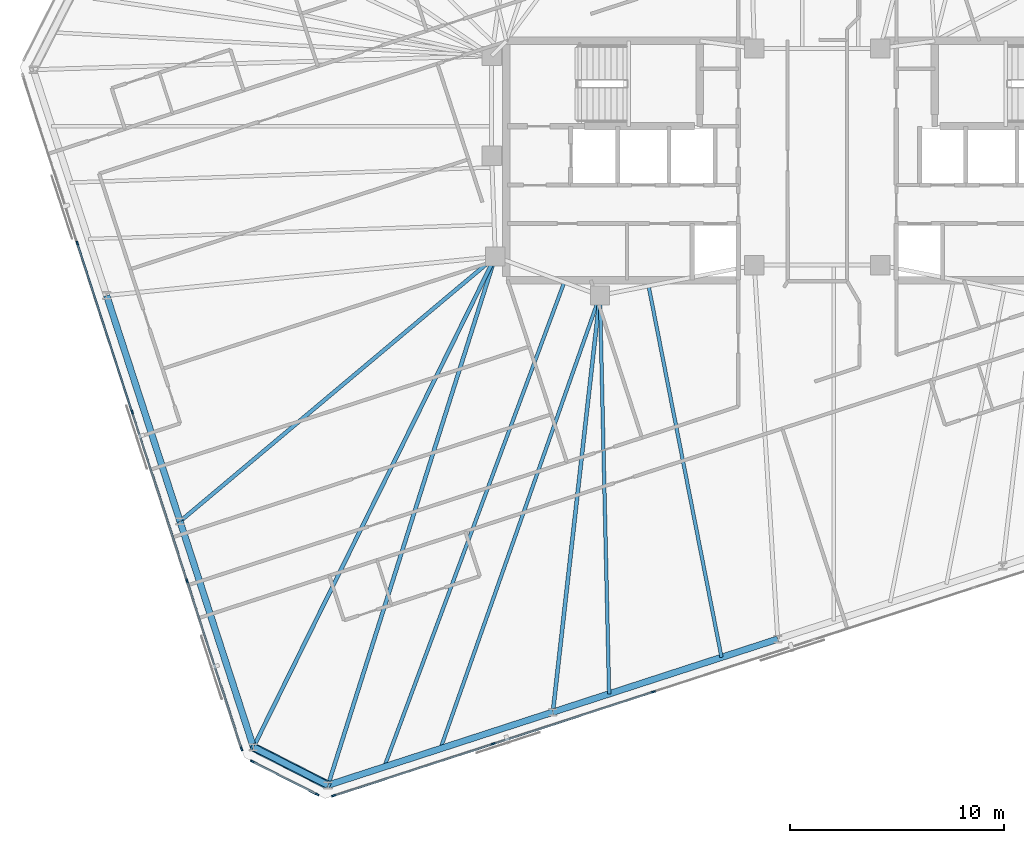
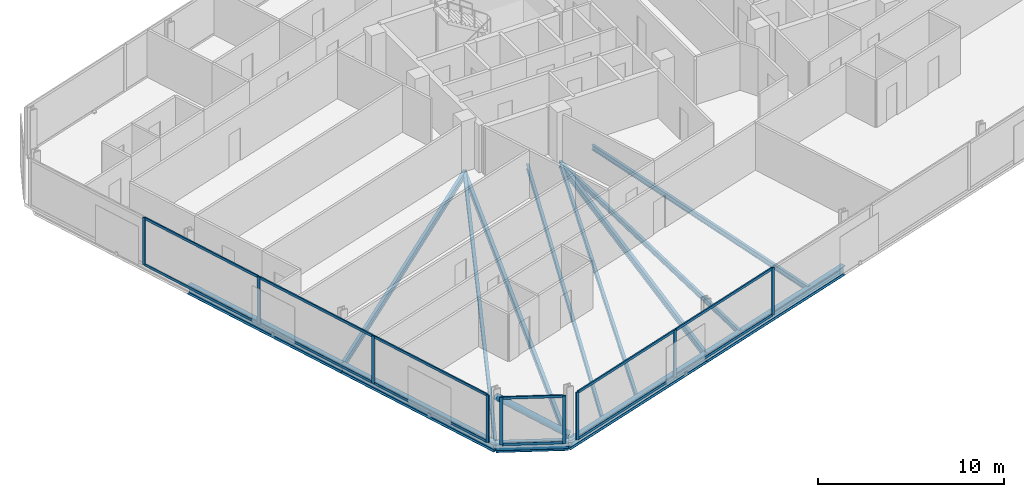
# One storey, part 5 of 19: 22 members, 13 beams, 3 elements without a shape of their own.
"""IFC4 building model written with IfcOpenShell, lengths in metres."""

import ifcopenshell
import ifcopenshell.guid

model = None  # the IFC model being written
_history = None  # IfcOwnerHistory: only IFC2X3 demands one
_inside = {}  # id of a spatial element -> (the spatial element, [elements in it])
_under = {}  # id of a project, library or spatial element -> (it, [spatial elements below it])
_declared = {}  # id of a project -> (the project, [libraries it declares])
_typed = {}  # id of a type object -> (the type object, [elements of that type])
_made_of = {}  # id of a material, layer set ... -> (it, [elements and type objects made of it])


def new_model(schema):
    """Start an empty IFC model of exactly this schema.

    Asked for "IFC4X3", IfcOpenShell would pick the latest addendum, in which some entities
    have other attributes; the version numbers below select the first issue.
    IFC2X3 requires an IfcOwnerHistory on every rooted entity: one is made here for all.
    """
    global model, _history
    if schema == "IFC4X3":
        model = ifcopenshell.file(schema_version=(4, 3, 0, 0))
    else:
        model = ifcopenshell.file(schema=schema)
    _inside.clear()
    _under.clear()
    _declared.clear()
    _typed.clear()
    _made_of.clear()
    _history = None
    if model.schema == "IFC2X3":
        org = make("IfcOrganization", Name="unknown")
        user = make(
            "IfcPersonAndOrganization",
            ThePerson=make("IfcPerson", FamilyName="unknown"),
            TheOrganization=org,
        )
        app = make(
            "IfcApplication",
            ApplicationDeveloper=org,
            Version="unknown",
            ApplicationFullName="unknown",
            ApplicationIdentifier="unknown",
        )
        _history = make(
            "IfcOwnerHistory",
            OwningUser=user,
            OwningApplication=app,
            ChangeAction="ADDED",
            CreationDate=0,
        )
    return model


def make(cls, **values):
    """One entity of the class cls with the attributes given. An attribute that is None is left unset."""
    return model.create_entity(
        cls, **{name: value for name, value in values.items() if value is not None}
    )


def rooted(cls, **values):
    """An entity with a GlobalId (a new one), such as an element, a storey or a relation."""
    return make(cls, GlobalId=ifcopenshell.guid.new(), OwnerHistory=_history, **values)


def si_unit(unit_type, name, prefix=None):
    """IfcSIUnit, for example si_unit("LENGTHUNIT", "METRE", prefix="MILLI")."""
    return make("IfcSIUnit", UnitType=unit_type, Prefix=prefix, Name=name)


def assignment(units):
    """IfcUnitAssignment: the units of a project."""
    return None if units is None else make("IfcUnitAssignment", Units=units)


def point(xyz):
    """IfcCartesianPoint."""
    return None if xyz is None else make("IfcCartesianPoint", Coordinates=xyz)


def direction(xyz):
    """IfcDirection."""
    return None if xyz is None else make("IfcDirection", DirectionRatios=xyz)


def frame(location, z_axis=None, x_axis=None):
    """IfcAxis2Placement3D, a coordinate frame: its origin and axes. An axis left out is left unset."""
    return make(
        "IfcAxis2Placement3D",
        Location=point(location),
        Axis=direction(z_axis),
        RefDirection=direction(x_axis),
    )


def frame_2d(location, x_axis=None):
    """IfcAxis2Placement2D, a coordinate frame in the plane: its origin and x axis."""
    return make(
        "IfcAxis2Placement2D", Location=point(location), RefDirection=direction(x_axis)
    )


def origin():
    """The frame at (0, 0, 0) with its axes left unset."""
    return frame((0.0, 0.0, 0.0))


def origin_2d():
    """The frame at (0, 0) in the plane with its x axis left unset."""
    return frame_2d((0.0, 0.0))


def place(relative_to, where):
    """IfcLocalPlacement: puts the frame where relative to a parent placement (None: the world)."""
    return make(
        "IfcLocalPlacement", PlacementRelTo=relative_to, RelativePlacement=where
    )


def context(
    kind, dimensions, precision=None, world=None, true_north=None, identifier=None
):
    """IfcGeometricRepresentationContext, for example the 3D "Model" context."""
    return make(
        "IfcGeometricRepresentationContext",
        ContextIdentifier=identifier,
        ContextType=kind,
        CoordinateSpaceDimension=dimensions,
        Precision=precision,
        WorldCoordinateSystem=world,
        TrueNorth=true_north,
    )


def subcontext(parent, identifier, kind, view, scale=None):
    """IfcGeometricRepresentationSubContext, for example "Body" below "Model"."""
    return make(
        "IfcGeometricRepresentationSubContext",
        ContextIdentifier=identifier,
        ContextType=kind,
        ParentContext=parent,
        TargetScale=scale,
        TargetView=view,
    )


def project(units=None, contexts=None):
    """IfcProject with its units and contexts."""
    return rooted(
        "IfcProject",
        Name="project",
        RepresentationContexts=contexts,
        UnitsInContext=assignment(units),
    )


def spatial(cls, under=None, at=None, **own):
    """A site, building, storey or space (cls), placed at a placement, below another one or the project."""
    s = rooted(cls, ObjectPlacement=at, **own)
    if under is not None:
        _under.setdefault(under.id(), (under, []))[1].append(s)
    return s


def profile(cls, at=None, kind="AREA", **sizes):
    """A parametric profile (cls). Its sizes go by their IFC names, for example OverallWidth=200.0."""
    return make(cls, ProfileType=kind, Position=at, **sizes)


def rectangle(**sizes):
    """IfcRectangleProfileDef."""
    return profile("IfcRectangleProfileDef", **sizes)


def hollow_circle(**sizes):
    """IfcCircleHollowProfileDef."""
    return profile("IfcCircleHollowProfileDef", **sizes)


def i_section(**sizes):
    """IfcIShapeProfileDef."""
    return profile("IfcIShapeProfileDef", **sizes)


def extrude(swept, where, along, depth):
    """IfcExtrudedAreaSolid: the profile swept, set in the frame where, extruded along a direction by depth."""
    return make(
        "IfcExtrudedAreaSolid",
        SweptArea=swept,
        Position=where,
        ExtrudedDirection=direction(along),
        Depth=depth,
    )


def shape(context_of_items, identifier, shape_type, items):
    """IfcShapeRepresentation: the items that make up one representation, for example the "Body"."""
    return make(
        "IfcShapeRepresentation",
        ContextOfItems=context_of_items,
        RepresentationIdentifier=identifier,
        RepresentationType=shape_type,
        Items=items,
    )


def material(Name=None, Category=None):
    """IfcMaterial."""
    return make("IfcMaterial", Name=Name, Category=Category)


def material_profile(
    of_material, cross_section, Name=None, Category=None, Priority=None
):
    """IfcMaterialProfile: a cross section and its material."""
    return make(
        "IfcMaterialProfile",
        Name=Name,
        Material=of_material,
        Profile=cross_section,
        Priority=Priority,
        Category=Category,
    )


def profile_set(profiles, Name=None, composite=None):
    """IfcMaterialProfileSet."""
    return make(
        "IfcMaterialProfileSet",
        Name=Name,
        MaterialProfiles=profiles,
        CompositeProfile=composite,
    )


def made_of(thing, what):
    """Note that an element or type object is made of a material, layer set ...; save() writes the relation."""
    if what is not None:
        _made_of.setdefault(what.id(), (what, []))[1].append(thing)
    return thing


def type_object(cls, material=None, **own):
    """A type object (cls), such as IfcWallType, which elements share."""
    return made_of(rooted(cls, **own), material)


def element(
    cls,
    number,
    at=None,
    inside=None,
    cuts=None,
    type_object=None,
    material=None,
    context=None,
    identifier="Body",
    shape_type=None,
    held_by="IfcProductDefinitionShape",
    body=None,
    shapes=None,
    **own,
):
    """One element of the class cls, such as IfcWall. Its Tag is "e" and its number.

    at: its placement. inside: the storey or other place that contains it. cuts: it is an
    opening in that element (IfcRelVoidsElement). A single representation is given by context,
    identifier, shape_type and body (its items); several are given by shapes. held_by: the class
    of the entity that holds the representations. save() writes the other relations.
    """
    e = rooted(cls, Tag="e%d" % number, ObjectPlacement=at, **own)
    if body is not None:
        shapes = [shape(context, identifier, shape_type, body)]
    if shapes is not None:
        e.Representation = make(held_by, Representations=shapes)
    if inside is not None:
        _inside.setdefault(inside.id(), (inside, []))[1].append(e)
    if cuts is not None:
        rooted(
            "IfcRelVoidsElement", RelatingBuildingElement=cuts, RelatedOpeningElement=e
        )
    if type_object is not None:
        _typed.setdefault(type_object.id(), (type_object, []))[1].append(e)
    return made_of(e, material)


def aggregate(whole, parts):
    """IfcRelAggregates: a whole, such as a stair, and the parts it consists of."""
    return rooted("IfcRelAggregates", RelatingObject=whole, RelatedObjects=parts)


def save(model, path):
    """Write the relations noted so far, then the file.

    IfcRelAggregates (storeys below a building ...), IfcRelContainedInSpatialStructure (elements
    in a storey), IfcRelDefinesByType, IfcRelAssociatesMaterial and IfcRelDeclares: one each for
    every whole, place, type object, material and project.
    """
    for whole, parts in _under.values():
        aggregate(whole, parts)
    for where, things in _inside.values():
        rooted(
            "IfcRelContainedInSpatialStructure",
            RelatedElements=things,
            RelatingStructure=where,
        )
    for kind, things in _typed.values():
        rooted("IfcRelDefinesByType", RelatedObjects=things, RelatingType=kind)
    for what, things in _made_of.values():
        rooted("IfcRelAssociatesMaterial", RelatedObjects=things, RelatingMaterial=what)
    for by, libraries in _declared.values():
        rooted("IfcRelDeclares", RelatingContext=by, RelatedDefinitions=libraries)
    model.write(path)


model = new_model("IFC4")

# Units and contexts
model_context = context("Model", 3, precision=1e-05, world=origin(), true_north=direction((0.0, 1.0)))
body_context = subcontext(model_context, "Body", "Model", "MODEL_VIEW")
ifc_project = project(units=[si_unit("LENGTHUNIT", "METRE"), si_unit("AREAUNIT", "SQUARE_METRE"), si_unit("VOLUMEUNIT", "CUBIC_METRE"), si_unit("PLANEANGLEUNIT", "RADIAN"), si_unit("MASSUNIT", "GRAM", prefix="KILO")], contexts=[model_context])

# Site, building, storey
site_placement = place(None, origin())
site = spatial("IfcSite", under=ifc_project, at=site_placement, CompositionType="ELEMENT")
building_placement = place(site_placement, origin())
building = spatial("IfcBuilding", under=site, at=building_placement, Name="Menara Jurai Vektor", CompositionType="ELEMENT")
storey_placement = place(building_placement, frame((0.0, 0.0, 231.0)))
storey = spatial("IfcBuildingStorey", under=building, at=storey_placement, Name="L61", CompositionType="ELEMENT", Elevation=231.0)

# Curtain wall, members
ifc_material_1 = material(Name="Anodised Pale Aluminium & Low-E Double Glazing", Category="aluminium")
curtain_wall_type = type_object("IfcCurtainWallType", Name="CW-BLK4", PredefinedType="NOTDEFINED", material=ifc_material_1)
curtain_wall_1_placement = place(storey_placement, origin())
curtain_wall_1 = element("IfcCurtainWall", 1, at=curtain_wall_1_placement, inside=storey, type_object=curtain_wall_type, Name="Unitised Curtain Wall L61 F05", PredefinedType="NOTDEFINED")
ifc_material_2 = material(Name="Anodised Pale Aluminium Mullion", Category="aluminium")
ifc_material_profile_1 = material_profile(ifc_material_2, rectangle(XDim=0.080078125, YDim=0.18994140625, at=origin_2d()), Name="ALU MUL 80x190")
ifc_profile_set_1 = profile_set([ifc_material_profile_1], Name="Anodised Pale Aluminium Mullion")
member_type_1 = type_object("IfcMemberType", Name="CW-BLK4-MUL", PredefinedType="MULLION", material=ifc_profile_set_1)
member_1_placement = place(storey_placement, frame((-34.650634765625, -3.876220703125, 0.0), z_axis=(0.0, 0.0, 1.0), x_axis=(0.95105668295, 0.309016481464, 0.0)))
member_1 = element("IfcMember", 2, at=member_1_placement, type_object=member_type_1, Name="CW-04 mullion 2", PredefinedType="MULLION", context=body_context, shape_type="SweptSolid", body=[
    extrude(rectangle(XDim=0.080078125, YDim=0.18994140625, at=origin_2d()), origin(), (0.0, 0.0, 1.0), 3.125),
])
member_2_placement = place(storey_placement, frame((-32.082763671875, -11.779541015625, 0.0), z_axis=(0.0, 0.0, 1.0), x_axis=(0.95105668295, 0.309016481464, 0.0)))
member_2 = element("IfcMember", 3, at=member_2_placement, type_object=member_type_1, Name="CW-04 mullion 3", PredefinedType="MULLION", context=body_context, shape_type="SweptSolid", body=[
    extrude(rectangle(XDim=0.080078125, YDim=0.18994140625, at=origin_2d()), origin(), (0.0, 0.0, 1.0), 3.125),
])
member_3_placement = place(storey_placement, frame((-29.514892578125, -19.682861328125, 0.0), z_axis=(0.0, 0.0, 1.0), x_axis=(0.95105668295, 0.309016481464, 0.0)))
member_3 = element("IfcMember", 4, at=member_3_placement, type_object=member_type_1, Name="CW-04 mullion 4", PredefinedType="MULLION", context=body_context, shape_type="SweptSolid", body=[
    extrude(rectangle(XDim=0.080078125, YDim=0.18994140625, at=origin_2d()), origin(), (0.0, 0.0, 1.0), 3.125),
])
member_4_placement = place(storey_placement, frame((-26.959228515625, -27.548095703125, 0.0), z_axis=(0.0, 0.0, 1.0), x_axis=(0.95105668295, 0.309016481464, 0.0)))
member_4 = element("IfcMember", 5, at=member_4_placement, type_object=member_type_1, Name="CW-04 mullion 5", PredefinedType="MULLION", context=body_context, shape_type="SweptSolid", body=[
    extrude(rectangle(XDim=0.080078125, YDim=0.18994140625, at=origin_2d()), origin(), (0.0, 0.0, 1.0), 3.125),
])

curtain_wall_2_placement = place(storey_placement, origin())
curtain_wall_2 = element("IfcCurtainWall", 6, at=curtain_wall_2_placement, inside=storey, type_object=curtain_wall_type, Name="Unitised Curtain Wall L61 F06", PredefinedType="NOTDEFINED")
member_5_placement = place(storey_placement, frame((-26.455322265625, -28.13818359375, 0.0), z_axis=(0.0, 0.0, 1.0), x_axis=(0.453988579828, 0.89100750243, 0.0)))
member_5 = element("IfcMember", 7, at=member_5_placement, type_object=member_type_1, Name="CW-04 mullion 1", PredefinedType="MULLION", context=body_context, shape_type="SweptSolid", body=[
    extrude(rectangle(XDim=0.080078125, YDim=0.18994140625, at=origin_2d()), origin(), (0.0, 0.0, 1.0), 3.125),
])
member_6_placement = place(storey_placement, frame((-23.42333984375, -29.682861328125, 0.0), z_axis=(0.0, 0.0, 1.0), x_axis=(0.453988579828, 0.89100750243, 0.0)))
member_6 = element("IfcMember", 8, at=member_6_placement, type_object=member_type_1, Name="CW-04 mullion 2", PredefinedType="MULLION", context=body_context, shape_type="SweptSolid", body=[
    extrude(rectangle(XDim=0.080078125, YDim=0.18994140625, at=origin_2d()), origin(), (0.0, 0.0, 1.0), 3.125),
])

curtain_wall_3_placement = place(storey_placement, origin())
curtain_wall_3 = element("IfcCurtainWall", 9, at=curtain_wall_3_placement, inside=storey, type_object=curtain_wall_type, Name="Unitised Curtain Wall L61 F07", PredefinedType="NOTDEFINED")
member_7_placement = place(storey_placement, frame((-22.649658203125, -29.743896484375, 0.0), z_axis=(0.0, 0.0, 1.0), x_axis=(-0.309017344167, 0.951056402641, 0.0)))
member_7 = element("IfcMember", 10, at=member_7_placement, type_object=member_type_1, Name="CW-04 mullion 1", PredefinedType="MULLION", context=body_context, shape_type="SweptSolid", body=[
    extrude(rectangle(XDim=0.080078125, YDim=0.18994140625, at=origin_2d()), origin(), (0.0, 0.0, 1.0), 3.125),
])
member_8_placement = place(storey_placement, frame((-15.1826171875, -27.317626953125, 0.0), z_axis=(0.0, 0.0, 1.0), x_axis=(-0.309017344167, 0.951056402641, 0.0)))
member_8 = element("IfcMember", 11, at=member_8_placement, type_object=member_type_1, Name="CW-04 mullion 2", PredefinedType="MULLION", context=body_context, shape_type="SweptSolid", body=[
    extrude(rectangle(XDim=0.080078125, YDim=0.18994140625, at=origin_2d()), origin(), (0.0, 0.0, 1.0), 3.125),
])
member_9_placement = place(storey_placement, frame((-7.677490234375, -24.879150390625, 0.0), z_axis=(0.0, 0.0, 1.0), x_axis=(-0.309017344167, 0.951056402641, 0.0)))
member_9 = element("IfcMember", 12, at=member_9_placement, type_object=member_type_1, Name="CW-04 mullion 3", PredefinedType="MULLION", context=body_context, shape_type="SweptSolid", body=[
    extrude(rectangle(XDim=0.080078125, YDim=0.18994140625, at=origin_2d()), origin(), (0.0, 0.0, 1.0), 3.125),
])

# Member
ifc_material_3 = material(Name="Anodised Pale Aluminium Transom", Category="aluminium")
ifc_material_profile_2 = material_profile(ifc_material_3, rectangle(XDim=0.080078125, YDim=0.1650390625, at=origin_2d()), Name="ALU TRN 80x165")
ifc_profile_set_2 = profile_set([ifc_material_profile_2], Name="Anodised Pale Aluminium Transom")
member_type_2 = type_object("IfcMemberType", Name="CW-BLK4-TRN", PredefinedType="USERDEFINED", material=ifc_profile_set_2)
member_10_placement = place(storey_placement, frame((-34.638427734375, -3.914306640625, 0.0400390625), z_axis=(0.309018994408, -0.951055866443, 0.0), x_axis=(0.951055866443, 0.309018994408, 0.0)))
member_10 = element("IfcMember", 13, at=member_10_placement, type_object=member_type_2, Name="CW-04 transom 2.1", ObjectType="TRANSOM", PredefinedType="USERDEFINED", context=body_context, shape_type="SweptSolid", body=[
    extrude(rectangle(XDim=0.080078125, YDim=0.1650390625, at=origin_2d()), origin(), (0.0, 0.0, 1.0), 8.22998046875),
])

member_11_placement = place(storey_placement, frame((-34.638427734375, -3.914306640625, 3.0849609375), z_axis=(0.309018994408, -0.951055866443, 0.0), x_axis=(0.951055866443, 0.309018994408, 0.0)))
member_11 = element("IfcMember", 14, at=member_11_placement, type_object=member_type_2, Name="CW-04 transom 2.2", ObjectType="TRANSOM", PredefinedType="USERDEFINED", context=body_context, shape_type="SweptSolid", body=[
    extrude(rectangle(XDim=0.080078125, YDim=0.1650390625, at=origin_2d()), origin(), (0.0, 0.0, 1.0), 8.22998046875),
])

member_12_placement = place(storey_placement, frame((-32.0703125, -11.817626953125, 0.0400390625), z_axis=(0.309018994408, -0.951055866443, 0.0), x_axis=(0.951055866443, 0.309018994408, 0.0)))
member_12 = element("IfcMember", 15, at=member_12_placement, type_object=member_type_2, Name="CW-04 transom 3.1", ObjectType="TRANSOM", PredefinedType="USERDEFINED", context=body_context, shape_type="SweptSolid", body=[
    extrude(rectangle(XDim=0.080078125, YDim=0.1650390625, at=origin_2d()), origin(), (0.0, 0.0, 1.0), 8.22998046875),
])

member_13_placement = place(storey_placement, frame((-32.0703125, -11.817626953125, 3.0849609375), z_axis=(0.309018994408, -0.951055866443, 0.0), x_axis=(0.951055866443, 0.309018994408, 0.0)))
member_13 = element("IfcMember", 16, at=member_13_placement, type_object=member_type_2, Name="CW-04 transom 3.2", ObjectType="TRANSOM", PredefinedType="USERDEFINED", context=body_context, shape_type="SweptSolid", body=[
    extrude(rectangle(XDim=0.080078125, YDim=0.1650390625, at=origin_2d()), origin(), (0.0, 0.0, 1.0), 8.22998046875),
])

member_14_placement = place(storey_placement, frame((-29.50244140625, -19.720947265625, 0.0400390625), z_axis=(0.309010577384, -0.951058601278, 0.0), x_axis=(0.951058601278, 0.309010577384, 0.0)))
member_14 = element("IfcMember", 17, at=member_14_placement, type_object=member_type_2, Name="CW-04 transom 4.1", ObjectType="TRANSOM", PredefinedType="USERDEFINED", context=body_context, shape_type="SweptSolid", body=[
    extrude(rectangle(XDim=0.080078125, YDim=0.1650390625, at=origin_2d()), origin(), (0.0, 0.0, 1.0), 8.18994140625),
])

member_15_placement = place(storey_placement, frame((-29.50244140625, -19.720947265625, 3.0849609375), z_axis=(0.309010577384, -0.951058601278, 0.0), x_axis=(0.951058601278, 0.309010577384, 0.0)))
member_15 = element("IfcMember", 18, at=member_15_placement, type_object=member_type_2, Name="CW-04 transom 4.2", ObjectType="TRANSOM", PredefinedType="USERDEFINED", context=body_context, shape_type="SweptSolid", body=[
    extrude(rectangle(XDim=0.080078125, YDim=0.1650390625, at=origin_2d()), origin(), (0.0, 0.0, 1.0), 8.18994140625),
])

aggregate(curtain_wall_1, [member_1, member_2, member_3, member_4, member_10, member_11, member_12, member_13, member_14, member_15])

member_16_placement = place(storey_placement, frame((-26.419677734375, -28.15625, 0.0400390625), z_axis=(0.89100697374, -0.453989617444, 0.0), x_axis=(0.453989617444, 0.89100697374, 0.0)))
member_16 = element("IfcMember", 19, at=member_16_placement, type_object=member_type_2, Name="CW-04 transom 1.1", ObjectType="TRANSOM", PredefinedType="USERDEFINED", context=body_context, shape_type="SweptSolid", body=[
    extrude(rectangle(XDim=0.080078125, YDim=0.1650390625, at=origin_2d()), origin(), (0.0, 0.0, 1.0), 3.32275390625),
])

member_17_placement = place(storey_placement, frame((-26.419677734375, -28.15625, 3.0849609375), z_axis=(0.89100697374, -0.453989617444, 0.0), x_axis=(0.453989617444, 0.89100697374, 0.0)))
member_17 = element("IfcMember", 20, at=member_17_placement, type_object=member_type_2, Name="CW-04 transom 1.2", ObjectType="TRANSOM", PredefinedType="USERDEFINED", context=body_context, shape_type="SweptSolid", body=[
    extrude(rectangle(XDim=0.080078125, YDim=0.1650390625, at=origin_2d()), origin(), (0.0, 0.0, 1.0), 3.32275390625),
])

aggregate(curtain_wall_2, [member_5, member_6, member_16, member_17])

member_18_placement = place(storey_placement, frame((-22.61181640625, -29.7314453125, 0.0400390625), z_axis=(0.951062230089, 0.308999408573, 0.0), x_axis=(-0.308999408573, 0.951062230089, 0.0)))
member_18 = element("IfcMember", 21, at=member_18_placement, type_object=member_type_2, Name="CW-04 transom 1.1", ObjectType="TRANSOM", PredefinedType="USERDEFINED", context=body_context, shape_type="SweptSolid", body=[
    extrude(rectangle(XDim=0.080078125, YDim=0.1650390625, at=origin_2d()), origin(), (0.0, 0.0, 1.0), 7.771484375),
])

member_19_placement = place(storey_placement, frame((-22.61181640625, -29.7314453125, 3.0849609375), z_axis=(0.951062230089, 0.308999408573, 0.0), x_axis=(-0.308999408573, 0.951062230089, 0.0)))
member_19 = element("IfcMember", 22, at=member_19_placement, type_object=member_type_2, Name="CW-04 transom 1.2", ObjectType="TRANSOM", PredefinedType="USERDEFINED", context=body_context, shape_type="SweptSolid", body=[
    extrude(rectangle(XDim=0.080078125, YDim=0.1650390625, at=origin_2d()), origin(), (0.0, 0.0, 1.0), 7.771484375),
])

member_20_placement = place(storey_placement, frame((-15.14453125, -27.30517578125, 0.0400390625), z_axis=(0.95105634578, 0.309017519167, 0.0), x_axis=(-0.309017519167, 0.95105634578, 0.0)))
member_20 = element("IfcMember", 23, at=member_20_placement, type_object=member_type_2, Name="CW-04 transom 2.1", ObjectType="TRANSOM", PredefinedType="USERDEFINED", context=body_context, shape_type="SweptSolid", body=[
    extrude(rectangle(XDim=0.080078125, YDim=0.1650390625, at=origin_2d()), origin(), (0.0, 0.0, 1.0), 7.811279296875),
])

member_21_placement = place(storey_placement, frame((-15.14453125, -27.30517578125, 3.0849609375), z_axis=(0.95105634578, 0.309017519167, 0.0), x_axis=(-0.309017519167, 0.95105634578, 0.0)))
member_21 = element("IfcMember", 24, at=member_21_placement, type_object=member_type_2, Name="CW-04 transom 2.2", ObjectType="TRANSOM", PredefinedType="USERDEFINED", context=body_context, shape_type="SweptSolid", body=[
    extrude(rectangle(XDim=0.080078125, YDim=0.1650390625, at=origin_2d()), origin(), (0.0, 0.0, 1.0), 7.811279296875),
])

aggregate(curtain_wall_3, [member_7, member_8, member_9, member_18, member_19, member_20, member_21])

# Beams
ifc_material_4 = material(Name="Steel S355", Category="steel")
ifc_material_profile_3 = material_profile(ifc_material_4, i_section(OverallWidth=0.18505859375, OverallDepth=0.429931640625, WebThickness=0.010986328125, FlangeThickness=0.01806640625, at=origin_2d()), Name="PG 430x185x76")
ifc_profile_set_3 = profile_set([ifc_material_profile_3], Name="Steel S355")
beam_type_1 = type_object("IfcBeamType", Name="STR-BM-430", PredefinedType="BEAM", material=ifc_profile_set_3)
beam_1_placement = place(storey_placement, frame((-22.912841796875, -29.2509765625, -0.43994140625), z_axis=(0.301715059084, 0.953398145122, 0.0), x_axis=(-0.953398145122, 0.301715059084, 0.0)))
element("IfcBeam", 25, at=beam_1_placement, inside=storey, type_object=beam_type_1, Name="Radial Floor Girder L61-S1", PredefinedType="BEAM", context=body_context, shape_type="SweptSolid", body=[
    extrude(i_section(OverallWidth=0.18505859375, OverallDepth=0.429931640625, WebThickness=0.010986328125, FlangeThickness=0.01806640625, at=origin_2d()), origin(), (0.0, 0.0, 1.0), 25.960693359375),
])
beam_2_placement = place(storey_placement, frame((-12.383544921875, -25.829833984375, -0.43994140625), z_axis=(0.112235588534, 0.993681625404, 0.0), x_axis=(-0.993681625404, 0.112235588534, 0.0)))
element("IfcBeam", 26, at=beam_2_placement, inside=storey, type_object=beam_type_1, Name="Radial Floor Girder L61-S2", PredefinedType="BEAM", context=body_context, shape_type="SweptSolid", body=[
    extrude(i_section(OverallWidth=0.18505859375, OverallDepth=0.429931640625, WebThickness=0.010986328125, FlangeThickness=0.01806640625, at=origin_2d()), origin(), (0.0, 0.0, 1.0), 19.6337890625),
])
beam_3_placement = place(storey_placement, frame((-29.841796875, -16.896728515625, -0.43994140625), z_axis=(0.765784449649, 0.64309733064, 0.0), x_axis=(-0.64309733064, 0.765784449649, 0.0)))
element("IfcBeam", 27, at=beam_3_placement, inside=storey, type_object=beam_type_1, Name="Radial Floor Girder L61-W3", PredefinedType="BEAM", context=body_context, shape_type="SweptSolid", body=[
    extrude(i_section(OverallWidth=0.18505859375, OverallDepth=0.429931640625, WebThickness=0.010986328125, FlangeThickness=0.01806640625, at=origin_2d()), origin(), (0.0, 0.0, 1.0), 19.276611328125),
])
beam_4_placement = place(storey_placement, frame((-26.406005859375, -27.47119140625, -0.43994140625), z_axis=(0.442219272094, 0.896906971424, 0.0), x_axis=(-0.896906971424, 0.442219272094, 0.0)))
element("IfcBeam", 28, at=beam_4_placement, inside=storey, type_object=beam_type_1, Name="Radial Floor Girder L61-W4", PredefinedType="BEAM", context=body_context, shape_type="SweptSolid", body=[
    extrude(i_section(OverallWidth=0.18505859375, OverallDepth=0.429931640625, WebThickness=0.010986328125, FlangeThickness=0.01806640625, at=origin_2d()), origin(), (0.0, 0.0, 1.0), 25.611572265625),
])

# Member
ifc_material_5 = material(Name="Steel S460", Category="steel")
ifc_material_profile_4 = material_profile(ifc_material_5, hollow_circle(Radius=0.203125, WallThickness=0.01611328125, at=origin_2d()), Name="CHS 406.4x16")
ifc_profile_set_4 = profile_set([ifc_material_profile_4], Name="Steel S460")
member_type_3 = type_object("IfcMemberType", Name="STR-BR-406", PredefinedType="BRACE", material=ifc_profile_set_4)
member_22_placement = place(storey_placement, frame((-22.912841796875, -29.2509765625, 0.14990234375), z_axis=(-0.740375367811, 0.377225079071, 0.556368182465), x_axis=(-0.453976155955, -0.891013832566, 0.0)))
element("IfcMember", 29, at=member_22_placement, inside=storey, type_object=member_type_3, Name="Exoskeleton Corner Brace L61-4", PredefinedType="BRACE", context=body_context, shape_type="SweptSolid", body=[
    extrude(hollow_circle(Radius=0.203125, WallThickness=0.01611328125, at=origin_2d()), origin(), (0.0, 0.0, 1.0), 4.718017578125),
])

# Beams
ifc_material_profile_5 = material_profile(ifc_material_4, i_section(OverallWidth=0.1650390625, OverallDepth=0.330078125, WebThickness=0.009033203125, FlangeThickness=0.013916015625, at=origin_2d()), Name="PG 330x165x46")
ifc_profile_set_5 = profile_set([ifc_material_profile_5], Name="Steel S355")
beam_type_2 = type_object("IfcBeamType", Name="STR-JS-330", PredefinedType="JOIST", material=ifc_profile_set_5)
beam_5_placement = place(storey_placement, frame((-20.280517578125, -28.395751953125, -0.389892578125), z_axis=(0.348182225555, 0.937426870645, 0.0), x_axis=(-0.937426870645, 0.348182225555, 0.0)))
element("IfcBeam", 30, at=beam_5_placement, inside=storey, type_object=beam_type_2, Name="Radial Secondary Floor Joist L61-JS01", PredefinedType="JOIST", context=body_context, shape_type="SweptSolid", body=[
    extrude(i_section(OverallWidth=0.1650390625, OverallDepth=0.330078125, WebThickness=0.009033203125, FlangeThickness=0.013916015625, at=origin_2d()), origin(), (0.0, 0.0, 1.0), 24.211181640625),
])
beam_6_placement = place(storey_placement, frame((-17.648193359375, -27.540283203125, -0.389892578125), z_axis=(0.331980963321, 0.943286085974, 0.0), x_axis=(-0.943286085974, 0.331980963321, 0.0)))
element("IfcBeam", 31, at=beam_6_placement, inside=storey, type_object=beam_type_2, Name="Radial Secondary Floor Joist L61-JS02", PredefinedType="JOIST", context=body_context, shape_type="SweptSolid", body=[
    extrude(i_section(OverallWidth=0.1650390625, OverallDepth=0.330078125, WebThickness=0.009033203125, FlangeThickness=0.013916015625, at=origin_2d()), origin(), (0.0, 0.0, 1.0), 22.49609375),
])
beam_7_placement = place(storey_placement, frame((-9.751220703125, -24.974609375, -0.389892578125), z_axis=(-0.022975519442, 0.999736027913, 0.0), x_axis=(-0.999736027913, -0.022975519442, 0.0)))
element("IfcBeam", 32, at=beam_7_placement, inside=storey, type_object=beam_type_2, Name="Radial Secondary Floor Joist L61-JS03", PredefinedType="JOIST", context=body_context, shape_type="SweptSolid", body=[
    extrude(i_section(OverallWidth=0.1650390625, OverallDepth=0.330078125, WebThickness=0.009033203125, FlangeThickness=0.013916015625, at=origin_2d()), origin(), (0.0, 0.0, 1.0), 18.659423828125),
])
beam_8_placement = place(storey_placement, frame((-4.486572265625, -23.263916015625, -0.389892578125), z_axis=(-0.192724225092, 0.981252960792, 0.0), x_axis=(-0.981252960792, -0.192724225092, 0.0)))
element("IfcBeam", 33, at=beam_8_placement, inside=storey, type_object=beam_type_2, Name="Radial Secondary Floor Joist L61-JS04", PredefinedType="JOIST", context=body_context, shape_type="SweptSolid", body=[
    extrude(i_section(OverallWidth=0.1650390625, OverallDepth=0.330078125, WebThickness=0.009033203125, FlangeThickness=0.013916015625, at=origin_2d()), origin(), (0.0, 0.0, 1.0), 17.7236328125),
])
ifc_material_profile_6 = material_profile(ifc_material_4, i_section(OverallWidth=0.306884765625, OverallDepth=0.6201171875, WebThickness=0.013916015625, FlangeThickness=0.02392578125, FilletRadius=0.01708984375, at=origin_2d()), Name="UKB 610x305x179")
ifc_profile_set_6 = profile_set([ifc_material_profile_6], Name="Steel S355")
beam_type_3 = type_object("IfcBeamType", Name="STR-SP-610", PredefinedType="SPANDREL", material=ifc_profile_set_6)
for number, where, z_axis, x_axis, name in (
    (34, (-22.912841796875, -29.2509765625, -0.534912109375), (0.951057401967, 0.309014268544, 0.0), (-0.309014268544, 0.951057401967, 0.0), "Exoskeleton Spandrel Beam L61-01"),
    (35, (-12.383544921875, -25.829833984375, -0.534912109375), (0.951057401967, 0.309014268544, 0.0), (-0.309014268544, 0.951057401967, 0.0), "Exoskeleton Spandrel Beam L61-02"),
):
    element("IfcBeam", number, at=place(storey_placement, frame(where, z_axis=z_axis, x_axis=x_axis)), inside=storey, type_object=beam_type_3, Name=name, PredefinedType="SPANDREL", context=body_context, shape_type="SweptSolid", body=[
        extrude(i_section(OverallWidth=0.306884765625, OverallDepth=0.6201171875, WebThickness=0.013916015625, FlangeThickness=0.02392578125, FilletRadius=0.01708984375, at=origin_2d()), origin(), (0.0, 0.0, 1.0), 11.071044921875),
    ])
beam_9_placement = place(storey_placement, frame((-33.277587890625, -6.322509765625, -0.534912109375), z_axis=(0.309018545885, -0.951056012178, 0.0), x_axis=(0.951056012178, 0.309018545885, 0.0)))
element("IfcBeam", 36, at=beam_9_placement, inside=storey, type_object=beam_type_3, Name="Exoskeleton Spandrel Beam L61-18", PredefinedType="SPANDREL", context=body_context, shape_type="SweptSolid", body=[
    extrude(i_section(OverallWidth=0.306884765625, OverallDepth=0.6201171875, WebThickness=0.013916015625, FlangeThickness=0.02392578125, FilletRadius=0.01708984375, at=origin_2d()), origin(), (0.0, 0.0, 1.0), 11.118408203125),
])
beam_10_placement = place(storey_placement, frame((-29.841796875, -16.896728515625, -0.534912109375), z_axis=(0.309012092614, -0.95105810896, 0.0), x_axis=(0.95105810896, 0.309012092614, 0.0)))
element("IfcBeam", 37, at=beam_10_placement, inside=storey, type_object=beam_type_3, Name="Exoskeleton Spandrel Beam L61-19", PredefinedType="SPANDREL", context=body_context, shape_type="SweptSolid", body=[
    extrude(i_section(OverallWidth=0.306884765625, OverallDepth=0.6201171875, WebThickness=0.013916015625, FlangeThickness=0.02392578125, FilletRadius=0.01708984375, at=origin_2d()), origin(), (0.0, 0.0, 1.0), 11.11865234375),
])
beam_11_placement = place(storey_placement, frame((-26.406005859375, -27.47119140625, -0.534912109375), z_axis=(0.891013832566, -0.453976155955, 0.0), x_axis=(0.453976155955, 0.891013832566, 0.0)))
element("IfcBeam", 38, at=beam_11_placement, inside=storey, type_object=beam_type_3, Name="Exoskeleton Spandrel Beam L61-20", PredefinedType="SPANDREL", context=body_context, shape_type="SweptSolid", body=[
    extrude(i_section(OverallWidth=0.306884765625, OverallDepth=0.6201171875, WebThickness=0.013916015625, FlangeThickness=0.02392578125, FilletRadius=0.01708984375, at=origin_2d()), origin(), (0.0, 0.0, 1.0), 3.92041015625),
])

save(model, "model.ifc")
